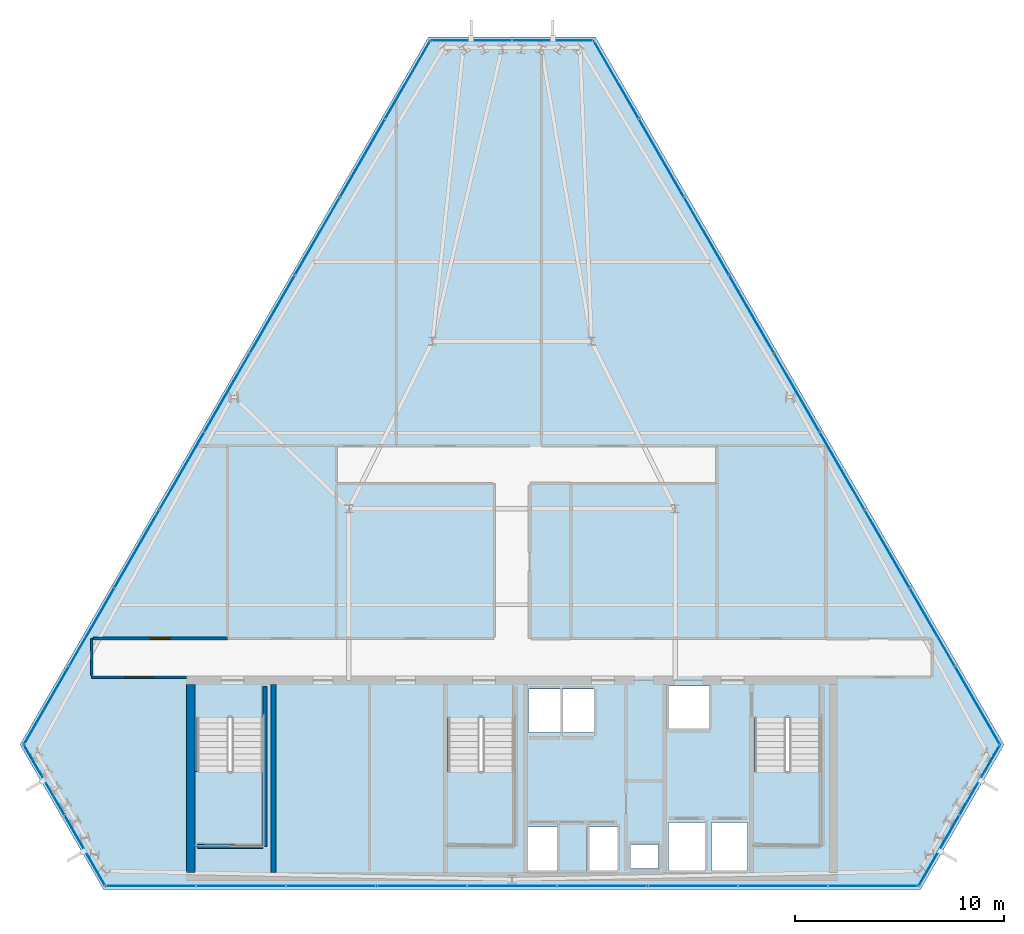
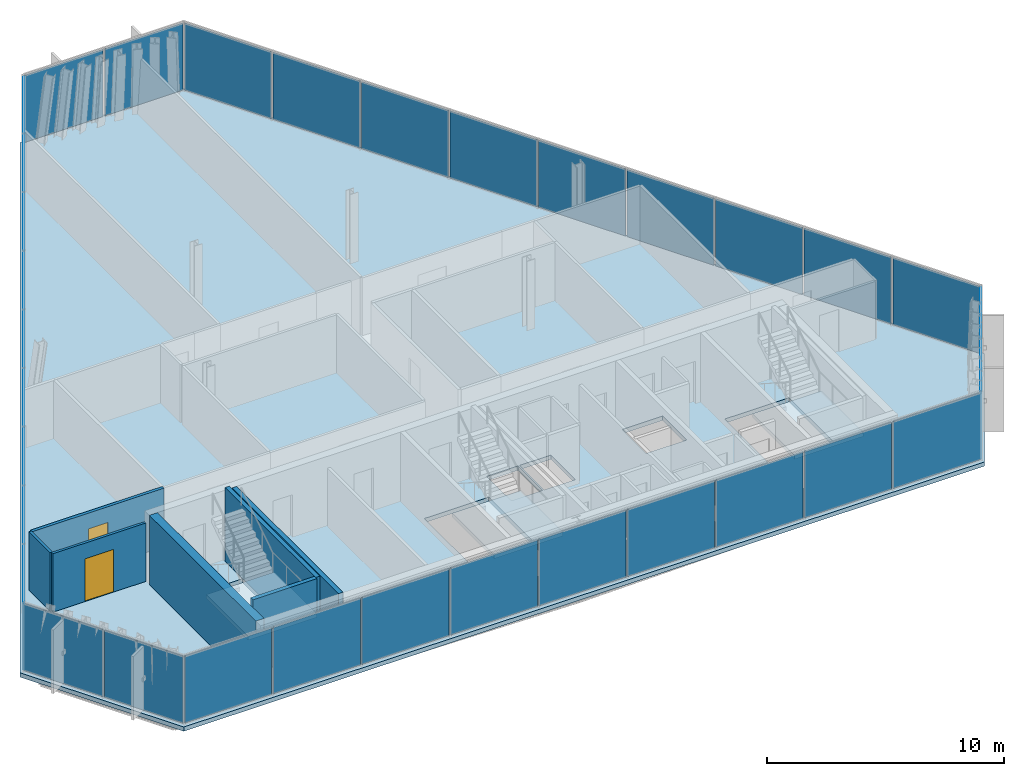
# One storey, part 23 of 30: 33 plates, 7 walls, 4 slabs, 2 doors, 2 openings, 9 elements without a shape of their own.
"""IFC4 building model written with IfcOpenShell, lengths in metres."""

from ifc_helpers import new_model, si_unit, direction, frame, frame_2d, origin, origin_2d, place, context, subcontext, project, spatial, polyline, rectangle, outline, extrude, material, layer, layer_set, type_object, element, fill, aggregate, save


model = new_model("IFC4")

# Units and contexts
model_context = context("Model", 3, precision=1e-05, world=origin(), true_north=direction((0.0, 1.0)))
body_context = subcontext(model_context, "Body", "Model", "MODEL_VIEW")
ifc_project = project(units=[si_unit("LENGTHUNIT", "METRE"), si_unit("AREAUNIT", "SQUARE_METRE"), si_unit("VOLUMEUNIT", "CUBIC_METRE"), si_unit("PLANEANGLEUNIT", "RADIAN"), si_unit("MASSUNIT", "GRAM", prefix="KILO")], contexts=[model_context])

# Site, building, storey
site_placement = place(None, origin())
site = spatial("IfcSite", under=ifc_project, at=site_placement, CompositionType="ELEMENT")
building_placement = place(site_placement, origin())
building = spatial("IfcBuilding", under=site, at=building_placement, Name="Ndaravel Arena Tower", CompositionType="ELEMENT")
storey_placement = place(building_placement, frame((0.0, 0.0, 225.60009765625)))
storey = spatial("IfcBuildingStorey", under=building, at=storey_placement, Name="L54", CompositionType="ELEMENT", Elevation=225.60009765625)

# Curtain wall, plate
ifc_material_1 = material(Name="Aluminium", Category="aluminium")
ifc_layer_1 = layer(ifc_material_1, 0.179931640625)
ifc_layer_set_1 = layer_set([ifc_layer_1], Name="Aluminium")
curtain_wall_type_1 = type_object("IfcCurtainWallType", Name="CW-SYS-01", PredefinedType="NOTDEFINED", material=ifc_layer_set_1)
curtain_wall_1_placement = place(storey_placement, origin())
curtain_wall_1 = element("IfcCurtainWall", 1, at=curtain_wall_1_placement, inside=storey, type_object=curtain_wall_type_1, Name="L54 Faceted Crystal Curtain Wall CW-L54-E02", PredefinedType="NOTDEFINED")
ifc_material_2 = material(Name="Glazing", Category="glass")
ifc_layer_2 = layer(ifc_material_2, 0.035888671875)
ifc_layer_set_2 = layer_set([ifc_layer_2], Name="Glazing")
plate_type_1 = type_object("IfcPlateType", Name="PLT-CW-OPVENT", PredefinedType="CURTAIN_PANEL", material=ifc_layer_set_2)
plate_1_placement = place(storey_placement, frame((64.359619140625, 10.228759765625, 0.059814453125), z_axis=(0.0, 0.0, 1.0), x_axis=(0.5, 0.866025403784, 0.0)))
plate_1 = element("IfcPlate", 2, at=plate_1_placement, type_object=plate_type_1, Name="CW-L54-E02 Operable Vent Sash Panel 02", PredefinedType="CURTAIN_PANEL", context=body_context, shape_type="SweptSolid", body=[
    extrude(rectangle(XDim=3.82177734375, YDim=0.035888671875, at=origin_2d()), origin(), (0.0, 0.0, 1.0), 3.4599609375),
])

curtain_wall_2_placement = place(storey_placement, origin())
curtain_wall_2 = element("IfcCurtainWall", 3, at=curtain_wall_2_placement, inside=storey, type_object=curtain_wall_type_1, Name="L54 Faceted Crystal Curtain Wall CW-L54-E04", PredefinedType="NOTDEFINED")
plate_2_placement = place(storey_placement, frame((40.049072265625, 45.57763671875, 0.059814453125), z_axis=(0.0, 0.0, 1.0), x_axis=(-1.0, 0.0, 0.0)))
plate_2 = element("IfcPlate", 4, at=plate_2_placement, type_object=plate_type_1, Name="CW-L54-E04 Operable Vent Sash Panel 02", PredefinedType="CURTAIN_PANEL", context=body_context, shape_type="SweptSolid", body=[
    extrude(rectangle(XDim=3.82177734375, YDim=0.035888671875, at=origin_2d()), origin(), (0.0, 0.0, 1.0), 3.4599609375),
])

ifc_material_3 = material(Name="Aluminium", Category="aluminium")
ifc_layer_3 = layer(ifc_material_3, 0.179931640625)
ifc_layer_set_3 = layer_set([ifc_layer_3], Name="Aluminium")
curtain_wall_type_2 = type_object("IfcCurtainWallType", Name="CW-SYS-02", PredefinedType="NOTDEFINED", material=ifc_layer_set_3)
curtain_wall_3_placement = place(storey_placement, origin())
curtain_wall_3 = element("IfcCurtainWall", 5, at=curtain_wall_3_placement, inside=storey, type_object=curtain_wall_type_2, Name="L54 Faceted Crystal Curtain Wall CW-L54-E06", PredefinedType="NOTDEFINED")
plate_3_placement = place(storey_placement, frame((21.59130859375, 6.849609375, 0.059814453125), z_axis=(0.0, 0.0, 1.0), x_axis=(0.5, -0.866025403784, 0.0)))
plate_3 = element("IfcPlate", 6, at=plate_3_placement, type_object=plate_type_1, Name="CW-L54-E06 Operable Vent Sash Panel 02", PredefinedType="CURTAIN_PANEL", context=body_context, shape_type="SweptSolid", body=[
    extrude(rectangle(XDim=3.82177734375, YDim=0.035888671875, at=origin_2d()), origin(), (0.0, 0.0, 1.0), 3.4599609375),
])

# Plate
ifc_material_4 = material(Name="Glazing", Category="glass")
ifc_layer_4 = layer(ifc_material_4, 0.031982421875)
ifc_layer_set_4 = layer_set([ifc_layer_4], Name="Glazing")
plate_type_2 = type_object("IfcPlateType", Name="PLT-GLZ-FRIT35", PredefinedType="CURTAIN_PANEL", material=ifc_layer_set_4)
plate_4_placement = place(storey_placement, frame((62.40869140625, 6.849609375, 0.059814453125), z_axis=(0.0, 0.0, 1.0), x_axis=(0.5, 0.866025403784, 0.0)))
plate_4 = element("IfcPlate", 7, at=plate_4_placement, type_object=plate_type_2, Name="CW-L54-E02 Vision Glass Panel 01", PredefinedType="CURTAIN_PANEL", context=body_context, shape_type="SweptSolid", body=[
    extrude(rectangle(XDim=3.82177734375, YDim=0.035888671875, at=origin_2d()), origin(), (0.0, 0.0, 1.0), 3.4599609375),
])

aggregate(curtain_wall_1, [plate_4, plate_1])

plate_5_placement = place(storey_placement, frame((43.950927734375, 45.57763671875, 0.059814453125), z_axis=(0.0, 0.0, 1.0), x_axis=(-1.0, 0.0, 0.0)))
plate_5 = element("IfcPlate", 8, at=plate_5_placement, type_object=plate_type_2, Name="CW-L54-E04 Vision Glass Panel 01", PredefinedType="CURTAIN_PANEL", context=body_context, shape_type="SweptSolid", body=[
    extrude(rectangle(XDim=3.82177734375, YDim=0.035888671875, at=origin_2d()), origin(), (0.0, 0.0, 1.0), 3.4599609375),
])

aggregate(curtain_wall_2, [plate_5, plate_2])

ifc_material_5 = material(Name="Glazing", Category="glass")
ifc_layer_5 = layer(ifc_material_5, 0.035888671875)
ifc_layer_set_5 = layer_set([ifc_layer_5], Name="Glazing")
plate_type_3 = type_object("IfcPlateType", Name="PLT-GLZ-FRIT55", PredefinedType="CURTAIN_PANEL", material=ifc_layer_set_5)
plate_6_placement = place(storey_placement, frame((19.640380859375, 10.228759765625, 0.059814453125), z_axis=(0.0, 0.0, 1.0), x_axis=(0.5, -0.866025403784, 0.0)))
plate_6 = element("IfcPlate", 9, at=plate_6_placement, type_object=plate_type_3, Name="CW-L54-E06 Vision Glass Panel 01", PredefinedType="CURTAIN_PANEL", context=body_context, shape_type="SweptSolid", body=[
    extrude(rectangle(XDim=3.82177734375, YDim=0.035888671875, at=origin_2d()), origin(), (0.0, 0.0, 1.0), 3.4599609375),
])

aggregate(curtain_wall_3, [plate_6, plate_3])

# Curtain wall, plates
ifc_material_6 = material(Name="Aluminium", Category="aluminium")
ifc_layer_6 = layer(ifc_material_6, 0.179931640625)
ifc_layer_set_6 = layer_set([ifc_layer_6], Name="Aluminium")
curtain_wall_type_3 = type_object("IfcCurtainWallType", Name="CW-SYS-03", PredefinedType="NOTDEFINED", material=ifc_layer_set_6)
curtain_wall_4_placement = place(storey_placement, origin())
curtain_wall_4 = element("IfcCurtainWall", 10, at=curtain_wall_4_placement, inside=storey, type_object=curtain_wall_type_3, Name="L54 Faceted Crystal Curtain Wall CW-L54-E01", PredefinedType="NOTDEFINED")
ifc_material_7 = material(Name="Glazing", Category="glass")
ifc_layer_7 = layer(ifc_material_7, 0.0400390625)
ifc_layer_set_7 = layer_set([ifc_layer_7], Name="Glazing")
plate_type_4 = type_object("IfcPlateType", Name="PLT-GLZ-LOWIRON", PredefinedType="CURTAIN_PANEL", material=ifc_layer_set_7)
plate_7_placement = place(storey_placement, frame((24.72607421875, 5.159912109375, 0.059814453125), z_axis=(0.0, 0.0, 1.0), x_axis=(1.0, 0.0, 0.0)))
plate_7 = element("IfcPlate", 11, at=plate_7_placement, type_object=plate_type_4, Name="CW-L54-E01 Vision Glass Panel 01", PredefinedType="CURTAIN_PANEL", context=body_context, shape_type="SweptSolid", body=[
    extrude(rectangle(XDim=4.238525390625, YDim=0.035888671875, at=origin_2d()), origin(), (0.0, 0.0, 1.0), 3.4599609375),
])
plate_8_placement = place(storey_placement, frame((29.04443359375, 5.159912109375, 0.059814453125), z_axis=(0.0, 0.0, 1.0), x_axis=(1.0, 0.0, 0.0)))
plate_8 = element("IfcPlate", 12, at=plate_8_placement, type_object=plate_type_4, Name="CW-L54-E01 Vision Glass Panel 02", PredefinedType="CURTAIN_PANEL", context=body_context, shape_type="SweptSolid", body=[
    extrude(rectangle(XDim=4.238525390625, YDim=0.035888671875, at=origin_2d()), origin(), (0.0, 0.0, 1.0), 3.4599609375),
])
plate_9_placement = place(storey_placement, frame((33.363037109375, 5.159912109375, 0.059814453125), z_axis=(0.0, 0.0, 1.0), x_axis=(1.0, 0.0, 0.0)))
plate_9 = element("IfcPlate", 13, at=plate_9_placement, type_object=plate_type_4, Name="CW-L54-E01 Vision Glass Panel 03", PredefinedType="CURTAIN_PANEL", context=body_context, shape_type="SweptSolid", body=[
    extrude(rectangle(XDim=4.238525390625, YDim=0.035888671875, at=origin_2d()), origin(), (0.0, 0.0, 1.0), 3.4599609375),
])
plate_10_placement = place(storey_placement, frame((37.681396484375, 5.159912109375, 0.059814453125), z_axis=(0.0, 0.0, 1.0), x_axis=(1.0, 0.0, 0.0)))
plate_10 = element("IfcPlate", 14, at=plate_10_placement, type_object=plate_type_4, Name="CW-L54-E01 Vision Glass Panel 04", PredefinedType="CURTAIN_PANEL", context=body_context, shape_type="SweptSolid", body=[
    extrude(rectangle(XDim=4.238525390625, YDim=0.035888671875, at=origin_2d()), origin(), (0.0, 0.0, 1.0), 3.4599609375),
])
plate_11_placement = place(storey_placement, frame((42.0, 5.159912109375, 0.059814453125), z_axis=(0.0, 0.0, 1.0), x_axis=(1.0, 0.0, 0.0)))
plate_11 = element("IfcPlate", 15, at=plate_11_placement, type_object=plate_type_4, Name="CW-L54-E01 Vision Glass Panel 05", PredefinedType="CURTAIN_PANEL", context=body_context, shape_type="SweptSolid", body=[
    extrude(rectangle(XDim=4.238525390625, YDim=0.035888671875, at=origin_2d()), origin(), (0.0, 0.0, 1.0), 3.4599609375),
])
plate_12_placement = place(storey_placement, frame((46.318603515625, 5.159912109375, 0.059814453125), z_axis=(0.0, 0.0, 1.0), x_axis=(1.0, 0.0, 0.0)))
plate_12 = element("IfcPlate", 16, at=plate_12_placement, type_object=plate_type_4, Name="CW-L54-E01 Vision Glass Panel 06", PredefinedType="CURTAIN_PANEL", context=body_context, shape_type="SweptSolid", body=[
    extrude(rectangle(XDim=4.238525390625, YDim=0.035888671875, at=origin_2d()), origin(), (0.0, 0.0, 1.0), 3.4599609375),
])
plate_13_placement = place(storey_placement, frame((50.636962890625, 5.159912109375, 0.059814453125), z_axis=(0.0, 0.0, 1.0), x_axis=(1.0, 0.0, 0.0)))
plate_13 = element("IfcPlate", 17, at=plate_13_placement, type_object=plate_type_4, Name="CW-L54-E01 Vision Glass Panel 07", PredefinedType="CURTAIN_PANEL", context=body_context, shape_type="SweptSolid", body=[
    extrude(rectangle(XDim=4.238525390625, YDim=0.035888671875, at=origin_2d()), origin(), (0.0, 0.0, 1.0), 3.4599609375),
])
plate_14_placement = place(storey_placement, frame((54.95556640625, 5.159912109375, 0.059814453125), z_axis=(0.0, 0.0, 1.0), x_axis=(1.0, 0.0, 0.0)))
plate_14 = element("IfcPlate", 18, at=plate_14_placement, type_object=plate_type_4, Name="CW-L54-E01 Vision Glass Panel 08", PredefinedType="CURTAIN_PANEL", context=body_context, shape_type="SweptSolid", body=[
    extrude(rectangle(XDim=4.238525390625, YDim=0.035888671875, at=origin_2d()), origin(), (0.0, 0.0, 1.0), 3.4599609375),
])
plate_15_placement = place(storey_placement, frame((59.27392578125, 5.159912109375, 0.059814453125), z_axis=(0.0, 0.0, 1.0), x_axis=(1.0, 0.0, 0.0)))
plate_15 = element("IfcPlate", 19, at=plate_15_placement, type_object=plate_type_4, Name="CW-L54-E01 Vision Glass Panel 09", PredefinedType="CURTAIN_PANEL", context=body_context, shape_type="SweptSolid", body=[
    extrude(rectangle(XDim=4.238525390625, YDim=0.035888671875, at=origin_2d()), origin(), (0.0, 0.0, 1.0), 3.4599609375),
])
aggregate(curtain_wall_4, [plate_7, plate_8, plate_9, plate_10, plate_11, plate_12, plate_13, plate_14, plate_15])

curtain_wall_5_placement = place(storey_placement, origin())
curtain_wall_5 = element("IfcCurtainWall", 20, at=curtain_wall_5_placement, inside=storey, type_object=curtain_wall_type_3, Name="L54 Faceted Crystal Curtain Wall CW-L54-E03", PredefinedType="NOTDEFINED")
plate_16_placement = place(storey_placement, frame((64.255615234375, 13.7880859375, 0.059814453125), z_axis=(0.0, 0.0, 1.0), x_axis=(-0.5, 0.866025403784, 0.0)))
plate_16 = element("IfcPlate", 21, at=plate_16_placement, type_object=plate_type_4, Name="CW-L54-E03 Vision Glass Panel 01", PredefinedType="CURTAIN_PANEL", context=body_context, shape_type="SweptSolid", body=[
    extrude(rectangle(XDim=4.238525390625, YDim=0.035888671875, at=origin_2d()), origin(), (0.0, 0.0, 1.0), 3.4599609375),
])
plate_17_placement = place(storey_placement, frame((62.09619140625, 17.528076171875, 0.059814453125), z_axis=(0.0, 0.0, 1.0), x_axis=(-0.5, 0.866025403784, 0.0)))
plate_17 = element("IfcPlate", 22, at=plate_17_placement, type_object=plate_type_4, Name="CW-L54-E03 Vision Glass Panel 02", PredefinedType="CURTAIN_PANEL", context=body_context, shape_type="SweptSolid", body=[
    extrude(rectangle(XDim=4.238525390625, YDim=0.035888671875, at=origin_2d()), origin(), (0.0, 0.0, 1.0), 3.4599609375),
])
plate_18_placement = place(storey_placement, frame((59.93701171875, 21.26806640625, 0.059814453125), z_axis=(0.0, 0.0, 1.0), x_axis=(-0.5, 0.866025403784, 0.0)))
plate_18 = element("IfcPlate", 23, at=plate_18_placement, type_object=plate_type_4, Name="CW-L54-E03 Vision Glass Panel 03", PredefinedType="CURTAIN_PANEL", context=body_context, shape_type="SweptSolid", body=[
    extrude(rectangle(XDim=4.238525390625, YDim=0.035888671875, at=origin_2d()), origin(), (0.0, 0.0, 1.0), 3.4599609375),
])
plate_19_placement = place(storey_placement, frame((57.777587890625, 25.008056640625, 0.059814453125), z_axis=(0.0, 0.0, 1.0), x_axis=(-0.5, 0.866025403784, 0.0)))
plate_19 = element("IfcPlate", 24, at=plate_19_placement, type_object=plate_type_4, Name="CW-L54-E03 Vision Glass Panel 04", PredefinedType="CURTAIN_PANEL", context=body_context, shape_type="SweptSolid", body=[
    extrude(rectangle(XDim=4.238525390625, YDim=0.035888671875, at=origin_2d()), origin(), (0.0, 0.0, 1.0), 3.4599609375),
])
plate_20_placement = place(storey_placement, frame((55.618408203125, 28.748046875, 0.059814453125), z_axis=(0.0, 0.0, 1.0), x_axis=(-0.5, 0.866025403784, 0.0)))
plate_20 = element("IfcPlate", 25, at=plate_20_placement, type_object=plate_type_4, Name="CW-L54-E03 Vision Glass Panel 05", PredefinedType="CURTAIN_PANEL", context=body_context, shape_type="SweptSolid", body=[
    extrude(rectangle(XDim=4.238525390625, YDim=0.035888671875, at=origin_2d()), origin(), (0.0, 0.0, 1.0), 3.4599609375),
])
plate_21_placement = place(storey_placement, frame((53.459228515625, 32.48779296875, 0.059814453125), z_axis=(0.0, 0.0, 1.0), x_axis=(-0.5, 0.866025403784, 0.0)))
plate_21 = element("IfcPlate", 26, at=plate_21_placement, type_object=plate_type_4, Name="CW-L54-E03 Vision Glass Panel 06", PredefinedType="CURTAIN_PANEL", context=body_context, shape_type="SweptSolid", body=[
    extrude(rectangle(XDim=4.238525390625, YDim=0.035888671875, at=origin_2d()), origin(), (0.0, 0.0, 1.0), 3.4599609375),
])
plate_22_placement = place(storey_placement, frame((51.2998046875, 36.227783203125, 0.059814453125), z_axis=(0.0, 0.0, 1.0), x_axis=(-0.5, 0.866025403784, 0.0)))
plate_22 = element("IfcPlate", 27, at=plate_22_placement, type_object=plate_type_4, Name="CW-L54-E03 Vision Glass Panel 07", PredefinedType="CURTAIN_PANEL", context=body_context, shape_type="SweptSolid", body=[
    extrude(rectangle(XDim=4.238525390625, YDim=0.035888671875, at=origin_2d()), origin(), (0.0, 0.0, 1.0), 3.4599609375),
])
plate_23_placement = place(storey_placement, frame((49.140625, 39.9677734375, 0.059814453125), z_axis=(0.0, 0.0, 1.0), x_axis=(-0.5, 0.866025403784, 0.0)))
plate_23 = element("IfcPlate", 28, at=plate_23_placement, type_object=plate_type_4, Name="CW-L54-E03 Vision Glass Panel 08", PredefinedType="CURTAIN_PANEL", context=body_context, shape_type="SweptSolid", body=[
    extrude(rectangle(XDim=4.238525390625, YDim=0.035888671875, at=origin_2d()), origin(), (0.0, 0.0, 1.0), 3.4599609375),
])
plate_24_placement = place(storey_placement, frame((46.9814453125, 43.707763671875, 0.059814453125), z_axis=(0.0, 0.0, 1.0), x_axis=(-0.5, 0.866025403784, 0.0)))
plate_24 = element("IfcPlate", 29, at=plate_24_placement, type_object=plate_type_4, Name="CW-L54-E03 Vision Glass Panel 09", PredefinedType="CURTAIN_PANEL", context=body_context, shape_type="SweptSolid", body=[
    extrude(rectangle(XDim=4.238525390625, YDim=0.035888671875, at=origin_2d()), origin(), (0.0, 0.0, 1.0), 3.4599609375),
])
aggregate(curtain_wall_5, [plate_16, plate_17, plate_18, plate_19, plate_20, plate_21, plate_22, plate_23, plate_24])

curtain_wall_6_placement = place(storey_placement, origin())
curtain_wall_6 = element("IfcCurtainWall", 30, at=curtain_wall_6_placement, inside=storey, type_object=curtain_wall_type_3, Name="L54 Faceted Crystal Curtain Wall CW-L54-E05", PredefinedType="NOTDEFINED")
plate_25_placement = place(storey_placement, frame((37.0185546875, 43.707763671875, 0.059814453125), z_axis=(0.0, 0.0, 1.0), x_axis=(-0.5, -0.866025403784, 0.0)))
plate_25 = element("IfcPlate", 31, at=plate_25_placement, type_object=plate_type_4, Name="CW-L54-E05 Vision Glass Panel 01", PredefinedType="CURTAIN_PANEL", context=body_context, shape_type="SweptSolid", body=[
    extrude(rectangle(XDim=4.238525390625, YDim=0.035888671875, at=origin_2d()), origin(), (0.0, 0.0, 1.0), 3.4599609375),
])
plate_26_placement = place(storey_placement, frame((34.859375, 39.9677734375, 0.059814453125), z_axis=(0.0, 0.0, 1.0), x_axis=(-0.5, -0.866025403784, 0.0)))
plate_26 = element("IfcPlate", 32, at=plate_26_placement, type_object=plate_type_4, Name="CW-L54-E05 Vision Glass Panel 02", PredefinedType="CURTAIN_PANEL", context=body_context, shape_type="SweptSolid", body=[
    extrude(rectangle(XDim=4.238525390625, YDim=0.035888671875, at=origin_2d()), origin(), (0.0, 0.0, 1.0), 3.4599609375),
])
plate_27_placement = place(storey_placement, frame((32.7001953125, 36.227783203125, 0.059814453125), z_axis=(0.0, 0.0, 1.0), x_axis=(-0.5, -0.866025403784, 0.0)))
plate_27 = element("IfcPlate", 33, at=plate_27_placement, type_object=plate_type_4, Name="CW-L54-E05 Vision Glass Panel 03", PredefinedType="CURTAIN_PANEL", context=body_context, shape_type="SweptSolid", body=[
    extrude(rectangle(XDim=4.238525390625, YDim=0.035888671875, at=origin_2d()), origin(), (0.0, 0.0, 1.0), 3.4599609375),
])
plate_28_placement = place(storey_placement, frame((30.540771484375, 32.48779296875, 0.059814453125), z_axis=(0.0, 0.0, 1.0), x_axis=(-0.5, -0.866025403784, 0.0)))
plate_28 = element("IfcPlate", 34, at=plate_28_placement, type_object=plate_type_4, Name="CW-L54-E05 Vision Glass Panel 04", PredefinedType="CURTAIN_PANEL", context=body_context, shape_type="SweptSolid", body=[
    extrude(rectangle(XDim=4.238525390625, YDim=0.035888671875, at=origin_2d()), origin(), (0.0, 0.0, 1.0), 3.4599609375),
])
plate_29_placement = place(storey_placement, frame((28.381591796875, 28.747802734375, 0.059814453125), z_axis=(0.0, 0.0, 1.0), x_axis=(-0.5, -0.866025403784, 0.0)))
plate_29 = element("IfcPlate", 35, at=plate_29_placement, type_object=plate_type_4, Name="CW-L54-E05 Vision Glass Panel 05", PredefinedType="CURTAIN_PANEL", context=body_context, shape_type="SweptSolid", body=[
    extrude(rectangle(XDim=4.238525390625, YDim=0.035888671875, at=origin_2d()), origin(), (0.0, 0.0, 1.0), 3.4599609375),
])
plate_30_placement = place(storey_placement, frame((26.222412109375, 25.008056640625, 0.059814453125), z_axis=(0.0, 0.0, 1.0), x_axis=(-0.5, -0.866025403784, 0.0)))
plate_30 = element("IfcPlate", 36, at=plate_30_placement, type_object=plate_type_4, Name="CW-L54-E05 Vision Glass Panel 06", PredefinedType="CURTAIN_PANEL", context=body_context, shape_type="SweptSolid", body=[
    extrude(rectangle(XDim=4.238525390625, YDim=0.035888671875, at=origin_2d()), origin(), (0.0, 0.0, 1.0), 3.4599609375),
])
plate_31_placement = place(storey_placement, frame((24.06298828125, 21.26806640625, 0.059814453125), z_axis=(0.0, 0.0, 1.0), x_axis=(-0.5, -0.866025403784, 0.0)))
plate_31 = element("IfcPlate", 37, at=plate_31_placement, type_object=plate_type_4, Name="CW-L54-E05 Vision Glass Panel 07", PredefinedType="CURTAIN_PANEL", context=body_context, shape_type="SweptSolid", body=[
    extrude(rectangle(XDim=4.238525390625, YDim=0.035888671875, at=origin_2d()), origin(), (0.0, 0.0, 1.0), 3.4599609375),
])
plate_32_placement = place(storey_placement, frame((21.90380859375, 17.528076171875, 0.059814453125), z_axis=(0.0, 0.0, 1.0), x_axis=(-0.5, -0.866025403784, 0.0)))
plate_32 = element("IfcPlate", 38, at=plate_32_placement, type_object=plate_type_4, Name="CW-L54-E05 Vision Glass Panel 08", PredefinedType="CURTAIN_PANEL", context=body_context, shape_type="SweptSolid", body=[
    extrude(rectangle(XDim=4.238525390625, YDim=0.035888671875, at=origin_2d()), origin(), (0.0, 0.0, 1.0), 3.4599609375),
])
plate_33_placement = place(storey_placement, frame((19.744384765625, 13.7880859375, 0.059814453125), z_axis=(0.0, 0.0, 1.0), x_axis=(-0.5, -0.866025403784, 0.0)))
plate_33 = element("IfcPlate", 39, at=plate_33_placement, type_object=plate_type_4, Name="CW-L54-E05 Vision Glass Panel 09", PredefinedType="CURTAIN_PANEL", context=body_context, shape_type="SweptSolid", body=[
    extrude(rectangle(XDim=4.238525390625, YDim=0.035888671875, at=origin_2d()), origin(), (0.0, 0.0, 1.0), 3.4599609375),
])
aggregate(curtain_wall_6, [plate_25, plate_26, plate_27, plate_28, plate_29, plate_30, plate_31, plate_32, plate_33])

# Stair, slab
ifc_material_8 = material(Name="Concrete C40/50", Category="concrete")
stair_type = type_object("IfcStairType", Name="STAIR-CORE-HT", PredefinedType="HALF_TURN_STAIR", material=ifc_material_8)
stair_1_placement = place(storey_placement, origin())
stair_1 = element("IfcStair", 40, at=stair_1_placement, inside=storey, type_object=stair_type, Name="L54 ST-1", PredefinedType="HALF_TURN_STAIR")
ifc_material_9 = material(Name="Concrete C40/50", Category="concrete")
ifc_layer_8 = layer(ifc_material_9, 0.199951171875)
ifc_layer_set_8 = layer_set([ifc_layer_8], Name="Concrete C40/50")
slab_type_1 = type_object("IfcSlabType", Name="SLAB-STAIR-LANDING", PredefinedType="LANDING", material=ifc_layer_set_8)
slab_1_placement = place(storey_placement, frame((0.0, 0.0, 1.699951171875)))
slab_1 = element("IfcSlab", 41, at=slab_1_placement, type_object=slab_type_1, Name="ST-1 landing 1", PredefinedType="LANDING", context=body_context, shape_type="SweptSolid", body=[
    extrude(outline(polyline([(26.81005859375, 10.6298828125), (26.81005859375, 7.070068359375), (30.169921875, 7.070068359375), (30.169921875, 10.6298828125), (26.81005859375, 10.6298828125)])), origin(), (0.0, 0.0, 1.0), 0.199951171875),
])
aggregate(stair_1, [slab_1])

stair_2_placement = place(storey_placement, origin())
stair_2 = element("IfcStair", 42, at=stair_2_placement, inside=storey, type_object=stair_type, Name="L54 ST-2", PredefinedType="HALF_TURN_STAIR")
slab_2_placement = place(storey_placement, frame((0.0, 0.0, 1.699951171875)))
slab_2 = element("IfcSlab", 43, at=slab_2_placement, type_object=slab_type_1, Name="ST-2 landing 1", PredefinedType="LANDING", context=body_context, shape_type="SweptSolid", body=[
    extrude(outline(polyline([(38.81005859375, 10.6298828125), (38.81005859375, 7.070068359375), (42.169921875, 7.070068359375), (42.169921875, 10.6298828125), (38.81005859375, 10.6298828125)])), origin(), (0.0, 0.0, 1.0), 0.199951171875),
])
aggregate(stair_2, [slab_2])

stair_3_placement = place(storey_placement, origin())
stair_3 = element("IfcStair", 44, at=stair_3_placement, inside=storey, type_object=stair_type, Name="L54 ST-3", PredefinedType="HALF_TURN_STAIR")
slab_3_placement = place(storey_placement, frame((0.0, 0.0, 1.699951171875)))
slab_3 = element("IfcSlab", 45, at=slab_3_placement, type_object=slab_type_1, Name="ST-3 landing 1", PredefinedType="LANDING", context=body_context, shape_type="SweptSolid", body=[
    extrude(outline(polyline([(53.4599609375, 10.6298828125), (53.4599609375, 7.070068359375), (56.820068359375, 7.070068359375), (56.820068359375, 10.6298828125), (53.4599609375, 10.6298828125)])), origin(), (0.0, 0.0, 1.0), 0.199951171875),
])
aggregate(stair_3, [slab_3])

# Slab
ifc_material_10 = material(Name="Concrete C40/50", Category="concrete")
ifc_layer_9 = layer(ifc_material_10, 0.219970703125)
ifc_layer_set_9 = layer_set([ifc_layer_9], Name="Concrete C40/50")
slab_type_2 = type_object("IfcSlabType", Name="SLAB-TWR-220", PredefinedType="FLOOR", material=ifc_layer_set_9)
slab_4_placement = place(storey_placement, frame((0.0, 0.0, -0.22021484375)))
element("IfcSlab", 46, at=slab_4_placement, inside=storey, type_object=slab_type_2, Name="L54 Structural Floor Slab", PredefinedType="FLOOR", context=body_context, shape_type="SweptSolid", body=[
    extrude(outline(polyline([(18.47998046875, 11.918212890625), (22.474365234375, 5.0), (61.525634765625, 5.0), (65.52001953125, 11.918212890625), (45.994140625, 45.73779296875), (38.005859375, 45.73779296875), (18.47998046875, 11.918212890625)]), holes=[polyline([(26.949951171875, 13.215087890625), (26.949951171875, 7.14990234375), (30.090087890625, 7.14990234375), (30.090087890625, 13.215087890625), (26.949951171875, 13.215087890625)]), polyline([(38.949951171875, 13.215087890625), (38.949951171875, 7.14990234375), (42.090087890625, 7.14990234375), (42.090087890625, 13.215087890625), (38.949951171875, 13.215087890625)]), polyline([(53.60009765625, 13.215087890625), (53.60009765625, 7.14990234375), (56.739990234375, 7.14990234375), (56.739990234375, 13.215087890625), (53.60009765625, 13.215087890625)]), polyline([(42.659912109375, 5.909912109375), (44.139892578125, 5.909912109375), (44.139892578125, 7.989990234375), (42.659912109375, 7.989990234375), (42.659912109375, 5.909912109375)]), polyline([(45.56005859375, 5.909912109375), (47.0400390625, 5.909912109375), (47.0400390625, 7.989990234375), (45.56005859375, 7.989990234375), (45.56005859375, 5.909912109375)]), polyline([(42.784912109375, 12.510009765625), (44.31494140625, 12.510009765625), (44.31494140625, 14.590087890625), (42.784912109375, 14.590087890625), (42.784912109375, 12.510009765625)]), polyline([(44.385009765625, 12.510009765625), (45.9150390625, 12.510009765625), (45.9150390625, 14.590087890625), (44.385009765625, 14.590087890625), (44.385009765625, 12.510009765625)]), polyline([(49.485107421875, 5.909912109375), (51.215087890625, 5.909912109375), (51.215087890625, 8.18994140625), (49.485107421875, 8.18994140625), (49.485107421875, 5.909912109375)]), polyline([(51.534912109375, 5.909912109375), (53.264892578125, 5.909912109375), (53.264892578125, 8.18994140625), (51.534912109375, 8.18994140625), (51.534912109375, 5.909912109375)]), polyline([(49.4599609375, 12.68505859375), (51.43994140625, 12.68505859375), (51.43994140625, 14.715087890625), (49.4599609375, 14.715087890625), (49.4599609375, 12.68505859375)]), polyline([(47.699951171875, 6.0), (49.0, 6.0), (49.0, 7.139892578125), (47.699951171875, 7.139892578125), (47.699951171875, 6.0)])]), origin(), (0.0, 0.0, 1.0), 0.22021484375),
])

# Walls
ifc_material_11 = material(Name="Concrete C50/60", Category="concrete")
ifc_layer_10 = layer(ifc_material_11, 0.219970703125)
ifc_layer_set_10 = layer_set([ifc_layer_10], Name="Concrete C50/60")
wall_type_1 = type_object("IfcWallType", Name="WALL-CORE-220", PredefinedType="SOLIDWALL", material=ifc_layer_set_10)
wall_1_placement = place(storey_placement, frame((30.60009765625, 5.800048828125, 0.0), z_axis=(0.0, 0.0, 1.0), x_axis=(0.0, 1.0, 0.0)))
element("IfcWall", 47, at=wall_1_placement, inside=storey, type_object=wall_type_1, Name="L54 Core Web Shear Wall 1", PredefinedType="SOLIDWALL", context=body_context, shape_type="SweptSolid", body=[
    extrude(rectangle(XDim=9.0, YDim=0.219970703125, at=frame_2d((4.5, 0.0))), origin(), (0.0, 0.0, 1.0), 3.579833984375),
])
ifc_material_12 = material(Name="Concrete C50/60", Category="concrete")
ifc_layer_11 = layer(ifc_material_12, 0.39990234375)
ifc_layer_set_11 = layer_set([ifc_layer_11], Name="Concrete C50/60")
wall_type_2 = type_object("IfcWallType", Name="WALL-CORE-400", PredefinedType="SOLIDWALL", material=ifc_layer_set_11)
wall_2_placement = place(storey_placement, frame((26.64990234375, 5.800048828125, 0.0), z_axis=(0.0, 0.0, 1.0), x_axis=(0.0, 1.0, 0.0)))
element("IfcWall", 48, at=wall_2_placement, inside=storey, type_object=wall_type_2, Name="L54 Core West Shear Wall", PredefinedType="SOLIDWALL", context=body_context, shape_type="SweptSolid", body=[
    extrude(rectangle(XDim=9.0, YDim=0.39990234375, at=frame_2d((4.5, 0.0))), origin(), (0.0, 0.0, 1.0), 3.579833984375),
])

# Wall, opening, door
ifc_material_13 = material(Name="Gypsum", Category="gypsum")
ifc_layer_12 = layer(ifc_material_13, 0.125)
ifc_layer_set_12 = layer_set([ifc_layer_12], Name="Gypsum")
wall_type_3 = type_object("IfcWallType", Name="WALL-PART-125", PredefinedType="PARTITIONING", material=ifc_layer_set_12)
wall_3_placement = place(storey_placement, frame((26.449951171875, 15.14990234375, 0.0), z_axis=(0.0, 0.0, 1.0), x_axis=(-1.0, 0.0, 0.0)))
wall_3 = element("IfcWall", 49, at=wall_3_placement, inside=storey, type_object=wall_type_3, Name="L54 Interior Partition 003", PredefinedType="PARTITIONING", context=body_context, shape_type="SweptSolid", body=[
    extrude(rectangle(XDim=4.541015625, YDim=0.125, at=frame_2d((2.2705078125, 0.0))), origin(), (0.0, 0.0, 1.0), 3.010498046875),
])
opening_1_placement = place(wall_3_placement, frame((1.570556640625, 0.0, 0.0)))
opening_1 = element("IfcOpeningElement", 50, at=opening_1_placement, cuts=wall_3, Name="Opening ID-02", PredefinedType="OPENING", context=body_context, shape_type="SweptSolid", body=[
    extrude(rectangle(XDim=1.39990234375, YDim=2.199951171875, at=frame_2d((0.699951171875, 1.10009765625))), frame((0.0, 0.0625, 0.0), z_axis=(0.0, -1.0, 0.0), x_axis=(1.0, 0.0, 0.0)), (0.0, 0.0, 1.0), 0.125),
])
ifc_material_14 = material(Name="Timber", Category="wood")
door_type_1 = type_object("IfcDoorType", Name="DT-04-SUITE-1400", OperationType="DOUBLE_DOOR_SINGLE_SWING", PredefinedType="DOOR", material=ifc_material_14)
door_1_placement = place(opening_1_placement, origin())
door_1 = element("IfcDoor", 51, at=door_1_placement, inside=storey, type_object=door_type_1, Name="L54 Collaborative Lounge Door", OperationType="SINGLE_SWING_LEFT", OverallHeight=2.199951171875, OverallWidth=1.39990234375, PredefinedType="DOOR", context=body_context, shape_type="SweptSolid", body=[
    extrude(rectangle(XDim=1.39990234375, YDim=2.199951171875, at=frame_2d((0.699951171875, 1.10009765625))), frame((0.0, 0.02490234375, 0.0), z_axis=(0.0, -1.0, 0.0), x_axis=(1.0, 0.0, 0.0)), (0.0, 0.0, 1.0), 0.050048828125),
])
fill(opening_1, door_1)

# Walls
wall_4_placement = place(storey_placement, frame((21.908935546875, 15.215087890625, 0.0), z_axis=(0.0, 0.0, 1.0), x_axis=(0.0, 1.0, 0.0)))
element("IfcWall", 52, at=wall_4_placement, inside=storey, type_object=wall_type_3, Name="L54 Interior Partition 004", PredefinedType="PARTITIONING", context=body_context, shape_type="SweptSolid", body=[
    extrude(rectangle(XDim=1.784912109375, YDim=0.125, at=frame_2d((0.892578125, 0.0))), origin(), (0.0, 0.0, 1.0), 3.010498046875),
])
ifc_material_15 = material(Name="Concrete C40/50", Category="concrete")
ifc_layer_13 = layer(ifc_material_15, 0.199951171875)
ifc_layer_set_13 = layer_set([ifc_layer_13], Name="Concrete C40/50")
wall_type_4 = type_object("IfcWallType", Name="WALL-SHAFT-200", PredefinedType="SOLIDWALL", material=ifc_layer_set_13)
wall_5_placement = place(storey_placement, frame((30.18994140625, 14.699951171875, 0.0), z_axis=(0.0, 0.0, 1.0), x_axis=(0.0, -1.0, 0.0)))
element("IfcWall", 53, at=wall_5_placement, inside=storey, type_object=wall_type_4, Name="L54 ST-1 Structural Shaft Wall Right", PredefinedType="SOLIDWALL", context=body_context, shape_type="SweptSolid", body=[
    extrude(rectangle(XDim=7.64990234375, YDim=0.199951171875, at=frame_2d((3.824951171875, 0.0))), origin(), (0.0, 0.0, 1.0), 3.7998046875),
])
wall_6_placement = place(storey_placement, frame((26.969970703125, 7.050048828125, 0.0), z_axis=(0.0, 0.0, 1.0), x_axis=(1.0, 0.0, 0.0)))
element("IfcWall", 54, at=wall_6_placement, inside=storey, type_object=wall_type_4, Name="L54 ST-1 Structural Shaft Wall Far", PredefinedType="SOLIDWALL", context=body_context, shape_type="SweptSolid", body=[
    extrude(rectangle(XDim=3.114990234375, YDim=0.199951171875, at=frame_2d((1.5576171875, 0.0))), origin(), (0.0, 0.0, 1.0), 3.7998046875),
])

# Wall, opening, door
ifc_material_16 = material(Name="Masonry", Category="masonry")
ifc_layer_14 = layer(ifc_material_16, 0.14990234375)
ifc_layer_set_14 = layer_set([ifc_layer_14], Name="Masonry")
wall_type_5 = type_object("IfcWallType", Name="WALL-WET-150", PredefinedType="PARTITIONING", material=ifc_layer_set_14)
wall_7_placement = place(storey_placement, frame((21.97412109375, 17.0, 0.0), z_axis=(0.0, 0.0, 1.0), x_axis=(1.0, 0.0, 0.0)))
wall_7 = element("IfcWall", 55, at=wall_7_placement, inside=storey, type_object=wall_type_5, Name="L54 Interior Partition 005", PredefinedType="PARTITIONING", context=body_context, shape_type="SweptSolid", body=[
    extrude(rectangle(XDim=6.42578125, YDim=0.14990234375, at=frame_2d((3.212890625, 0.0))), origin(), (0.0, 0.0, 1.0), 3.010498046875),
])
opening_2_placement = place(wall_7_placement, frame((2.738037109375, 0.0, 0.0)))
opening_2 = element("IfcOpeningElement", 56, at=opening_2_placement, cuts=wall_7, Name="Opening FD-03", PredefinedType="OPENING", context=body_context, shape_type="SweptSolid", body=[
    extrude(rectangle(XDim=0.949951171875, YDim=2.199951171875, at=frame_2d((0.47509765625, 1.10009765625))), frame((0.0, 0.074951171875, 0.0), z_axis=(0.0, -1.0, 0.0), x_axis=(1.0, 0.0, 0.0)), (0.0, 0.0, 1.0), 0.14990234375),
])
ifc_material_17 = material(Name="Steel S355", Category="steel")
door_type_2 = type_object("IfcDoorType", Name="DT-11-CORE-950", OperationType="SINGLE_SWING_LEFT", PredefinedType="DOOR", material=ifc_material_17)
door_2_placement = place(opening_2_placement, origin())
door_2 = element("IfcDoor", 57, at=door_2_placement, inside=storey, type_object=door_type_2, Name="L54 Staff Espresso Kitchen Door", OperationType="SINGLE_SWING_RIGHT", OverallHeight=2.199951171875, OverallWidth=0.949951171875, PredefinedType="DOOR", context=body_context, shape_type="SweptSolid", body=[
    extrude(rectangle(XDim=0.949951171875, YDim=2.199951171875, at=frame_2d((0.47509765625, 1.10009765625))), frame((0.0, 0.02490234375, 0.0), z_axis=(0.0, -1.0, 0.0), x_axis=(1.0, 0.0, 0.0)), (0.0, 0.0, 1.0), 0.050048828125),
])
fill(opening_2, door_2)

save(model, "model.ifc")
